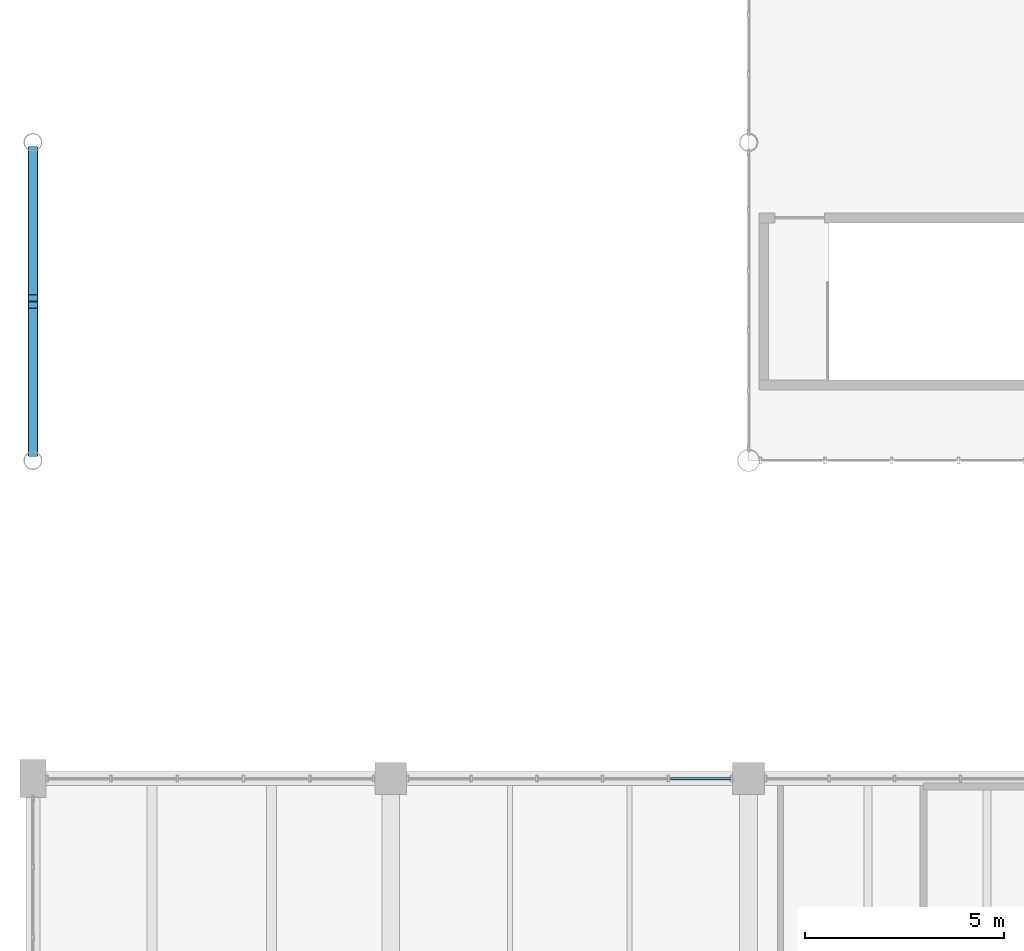
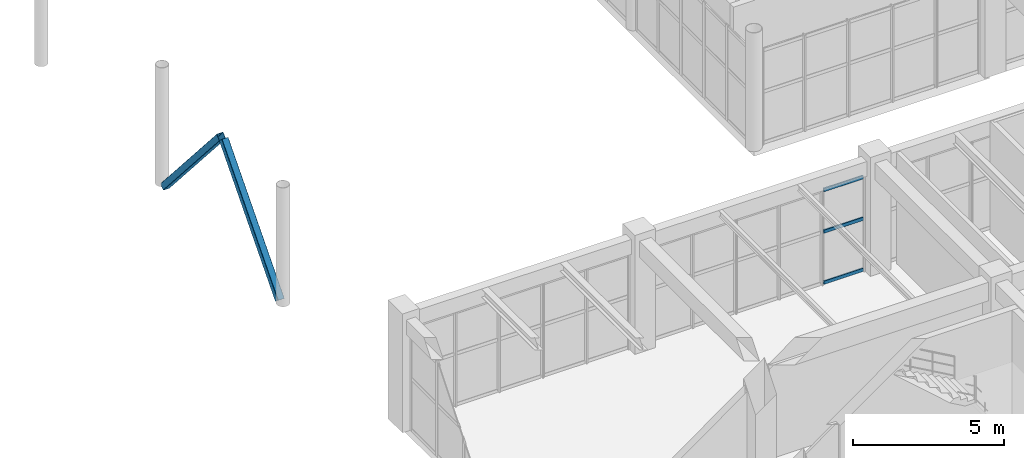
# One storey, part 20 of 178: 5 members, 1 element without a shape of its own.
"""IFC4 building model written with IfcOpenShell, lengths in metres."""

from ifc_helpers import new_model, si_unit, derived_unit, direction, frame, origin, origin_2d, place, context, subcontext, project, spatial, hollow_rectangle, extrude, material, material_profile, profile_set, type_object, element, aggregate, save


model = new_model("IFC4")

# Units and contexts
model_context = context("Model", 3, precision=1e-05, world=origin(), true_north=direction((0.0, 1.0)))
body_context = subcontext(model_context, "Body", "Model", "MODEL_VIEW")
ifc_project = project(units=[si_unit("LENGTHUNIT", "METRE"), si_unit("AREAUNIT", "SQUARE_METRE"), si_unit("VOLUMEUNIT", "CUBIC_METRE"), si_unit("PLANEANGLEUNIT", "RADIAN"), si_unit("MASSUNIT", "GRAM", prefix="KILO"), derived_unit("THERMALTRANSMITTANCEUNIT", [(si_unit("MASSUNIT", "GRAM", prefix="KILO"), 1), (si_unit("TIMEUNIT", "SECOND"), -3), (si_unit("THERMODYNAMICTEMPERATUREUNIT", "KELVIN"), -1)])], contexts=[model_context])

# Site, building, storey
site_placement = place(None, origin())
site = spatial("IfcSite", under=ifc_project, at=site_placement, CompositionType="ELEMENT")
building_placement = place(site_placement, origin())
building = spatial("IfcBuilding", under=site, at=building_placement, Name="Zhenchuan Archway Interchange", CompositionType="ELEMENT")
storey_placement = place(building_placement, frame((0.0, 0.0, 5.39990234375)))
storey = spatial("IfcBuildingStorey", under=building, at=storey_placement, Name="L01", CompositionType="ELEMENT", Elevation=5.39990234375)

# Curtain wall, members
ifc_material_1 = material(Name="Anodised Aluminium", Category="aluminium")
curtain_wall_type = type_object("IfcCurtainWallType", Name="CW_UNIT_3", PredefinedType="NOTDEFINED", material=ifc_material_1)
curtain_wall_placement = place(storey_placement, origin())
curtain_wall = element("IfcCurtainWall", 1, at=curtain_wall_placement, inside=storey, type_object=curtain_wall_type, Name="Unitised curtain wall CW:L01:090", PredefinedType="NOTDEFINED")
ifc_material_profile_1 = material_profile(ifc_material_1, hollow_rectangle(XDim=0.06005859375, YDim=0.139892578125, WallThickness=0.00341796875, InnerFilletRadius=0.00341796875, OuterFilletRadius=0.007080078125, at=origin_2d()), Name="ALU 140x60x3.5")
ifc_profile_set_1 = profile_set([ifc_material_profile_1], Name="Anodised Aluminium")
member_type_1 = type_object("IfcMemberType", Name="CW_TRN_140", PredefinedType="USERDEFINED", material=ifc_profile_set_1)
member_1_placement = place(storey_placement, frame((16.039306640625, 16.0, 0.06005859375), z_axis=(1.0, 0.0, 0.0), x_axis=(0.0, 1.0, 0.0)))
member_1 = element("IfcMember", 2, at=member_1_placement, type_object=member_type_1, Name="CW:L01:090 transom 4-1", ObjectType="TRANSOM", PredefinedType="USERDEFINED", context=body_context, shape_type="SweptSolid", body=[
    extrude(hollow_rectangle(XDim=0.06005859375, YDim=0.139892578125, WallThickness=0.00341796875, InnerFilletRadius=0.00341796875, OuterFilletRadius=0.007080078125, at=origin_2d()), origin(), (0.0, 0.0, 1.0), 1.5126953125),
])
member_2_placement = place(storey_placement, frame((16.039306640625, 16.0, 2.123046875), z_axis=(1.0, 0.0, 0.0), x_axis=(0.0, 1.0, 0.0)))
member_2 = element("IfcMember", 3, at=member_2_placement, type_object=member_type_1, Name="CW:L01:090 transom 4-2", ObjectType="TRANSOM", PredefinedType="USERDEFINED", context=body_context, shape_type="SweptSolid", body=[
    extrude(hollow_rectangle(XDim=0.06005859375, YDim=0.139892578125, WallThickness=0.00341796875, InnerFilletRadius=0.00341796875, OuterFilletRadius=0.007080078125, at=origin_2d()), origin(), (0.0, 0.0, 1.0), 1.5126953125),
])
member_3_placement = place(storey_placement, frame((16.039306640625, 16.0, 3.800048828125), z_axis=(1.0, 0.0, 0.0), x_axis=(0.0, 1.0, 0.0)))
member_3 = element("IfcMember", 4, at=member_3_placement, type_object=member_type_1, Name="CW:L01:090 transom 4-3", ObjectType="TRANSOM", PredefinedType="USERDEFINED", context=body_context, shape_type="SweptSolid", body=[
    extrude(hollow_rectangle(XDim=0.06005859375, YDim=0.139892578125, WallThickness=0.00341796875, InnerFilletRadius=0.00341796875, OuterFilletRadius=0.007080078125, at=origin_2d()), origin(), (0.0, 0.0, 1.0), 1.5126953125),
])
aggregate(curtain_wall, [member_1, member_2, member_3])

# Members
ifc_material_2 = material(Name="Steel Q355", Category="steel")
ifc_material_profile_2 = material_profile(ifc_material_2, hollow_rectangle(XDim=0.25, YDim=0.25, WallThickness=0.010009765625, InnerFilletRadius=0.010009765625, OuterFilletRadius=0.02001953125, at=origin_2d()), Name="SHS 250x250x10")
ifc_profile_set_2 = profile_set([ifc_material_profile_2], Name="Steel Q355")
member_type_2 = type_object("IfcMemberType", Name="MB_SHS250", PredefinedType="BRACE", material=ifc_profile_set_2)
for number, where, z_axis, x_axis, name in (
    (5, (0.0, 24.199951171875, 0.0), (0.0, 0.658627007665, 0.752469577308), (-1.0, 0.0, 0.0), "Bus canopy lateral chevron brace B1L (L01)"),
    (6, (0.0, 31.800048828125, 0.0), (0.0, -0.658627007665, 0.752469577308), (1.0, 0.0, 0.0), "Bus canopy lateral chevron brace B1R (L01)"),
):
    element("IfcMember", number, at=place(storey_placement, frame(where, z_axis=z_axis, x_axis=x_axis)), inside=storey, type_object=member_type_2, Name=name, PredefinedType="BRACE", context=body_context, shape_type="SweptSolid", body=[
        extrude(hollow_rectangle(XDim=0.25, YDim=0.25, WallThickness=0.010009765625, InnerFilletRadius=0.010009765625, OuterFilletRadius=0.02001953125, at=origin_2d()), origin(), (0.0, 0.0, 1.0), 5.64794921875),
    ])

save(model, "model.ifc")
